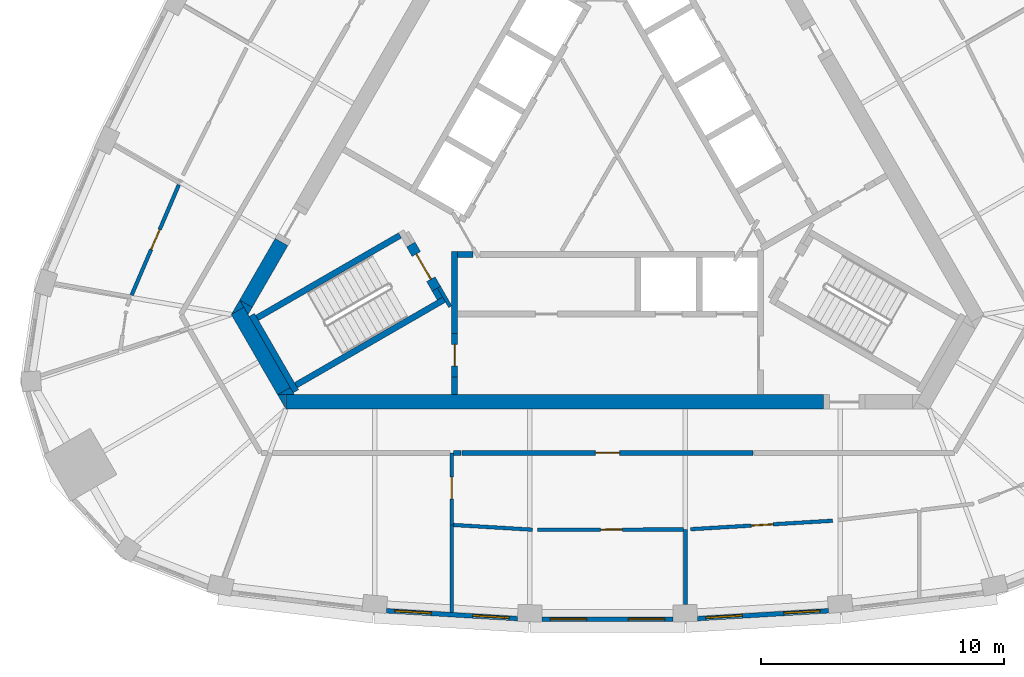
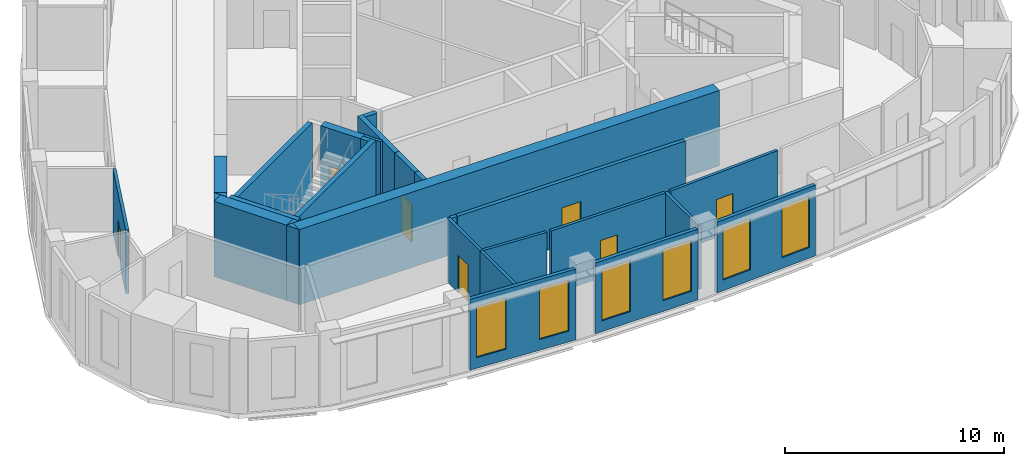
# One storey, part 3 of 10: 29 walls, 7 doors, 6 windows, 13 openings.
"""IFC4 building model written with IfcOpenShell, lengths in metres."""

from ifc_helpers import new_model, si_unit, direction, frame, frame_2d, origin, place, context, subcontext, project, spatial, polyline, rectangle, outline, extrude, material, layer, layer_set, type_object, element, fill, save


model = new_model("IFC4")

# Units and contexts
model_context = context("Model", 3, precision=1e-05, world=origin(), true_north=direction((0.0, 1.0)))
body_context = subcontext(model_context, "Body", "Model", "MODEL_VIEW")
ifc_project = project(units=[si_unit("LENGTHUNIT", "METRE"), si_unit("AREAUNIT", "SQUARE_METRE"), si_unit("VOLUMEUNIT", "CUBIC_METRE"), si_unit("PLANEANGLEUNIT", "RADIAN"), si_unit("MASSUNIT", "GRAM", prefix="KILO")], contexts=[model_context])

# Site, building, storey
site_placement = place(None, origin())
site = spatial("IfcSite", under=ifc_project, at=site_placement, CompositionType="ELEMENT")
building_placement = place(site_placement, origin())
building = spatial("IfcBuilding", under=site, at=building_placement, Name="Mestral Congress Tower", CompositionType="ELEMENT")
storey_placement = place(building_placement, frame((0.0, 0.0, 279.60009765625)))
storey = spatial("IfcBuildingStorey", under=building, at=storey_placement, Name="L65", CompositionType="ELEMENT", Elevation=279.60009765625)

# Walls
ifc_material_1 = material(Name="Concrete C60/75", Category="concrete")
ifc_layer_1 = layer(ifc_material_1, 0.60009765625)
ifc_layer_set_1 = layer_set([ifc_layer_1], Name="Concrete C60/75")
wall_type_1 = type_object("IfcWallType", Name="Core wall RC 600", PredefinedType="SOLIDWALL", material=ifc_layer_set_1)
wall_1_placement = place(storey_placement, frame((8.904296875, -9.949951171875, 0.0), z_axis=(0.0, 0.0, 1.0), x_axis=(-1.0, 0.0, 0.0)))
element("IfcWall", 1, at=wall_1_placement, inside=storey, type_object=wall_type_1, Name="L65 core wall", PredefinedType="SOLIDWALL", context=body_context, shape_type="SweptSolid", body=[
    extrude(rectangle(XDim=22.160888671875, YDim=0.60009765625, at=frame_2d((11.08056640625, 0.0))), origin(), (0.0, 0.0, 1.0), 4.199951171875),
])
placement = place(storey_placement, origin())
element("IfcWall", 2, at=placement, inside=storey, type_object=wall_type_1, Name="L65 core wall", PredefinedType="SOLIDWALL", context=body_context, shape_type="SweptSolid", body=[
    extrude(outline(polyline([(-13.5966796875, -9.64990234375), (-13.258544921875, -9.64990234375), (-13.258544921875, -10.235595703125), (-13.5966796875, -9.64990234375)])), origin(), (0.0, 0.0, 1.0), 4.199951171875),
])
wall_3_placement = place(storey_placement, frame((-13.33349609375, -9.505615234375, 0.0), z_axis=(0.0, 0.0, 1.0), x_axis=(-0.500019073792, 0.866014391245, 0.0)))
element("IfcWall", 3, at=wall_3_placement, inside=storey, type_object=wall_type_1, Name="L65 core wall", PredefinedType="SOLIDWALL", context=body_context, shape_type="SweptSolid", body=[
    extrude(rectangle(XDim=3.823486328125, YDim=0.60009765625, at=frame_2d((1.91162109375, 0.0))), origin(), (0.0, 0.0, 1.0), 4.199951171875),
])
element("IfcWall", 4, at=placement, inside=storey, type_object=wall_type_1, Name="L65 core wall", PredefinedType="SOLIDWALL", context=body_context, shape_type="SweptSolid", body=[
    extrude(outline(polyline([(-14.986572265625, -6.042724609375), (-15.493408203125, -6.33544921875), (-15.155517578125, -5.75), (-14.986572265625, -6.042724609375)])), origin(), (0.0, 0.0, 1.0), 4.199951171875),
])
element("IfcWall", 5, at=placement, inside=storey, type_object=wall_type_1, Name="L65 core wall", PredefinedType="SOLIDWALL", context=body_context, shape_type="SweptSolid", body=[
    extrude(outline(polyline([(-12.90380859375, -9.64990234375), (-13.579833984375, -9.64990234375), (-13.07275390625, -9.357421875), (-12.90380859375, -9.64990234375)])), origin(), (0.0, 0.0, 1.0), 4.199951171875),
])
wall_6_placement = place(storey_placement, frame((-13.431640625, -3.3642578125, 0.0), z_axis=(0.0, 0.0, 1.0), x_axis=(-0.499960127962, -0.866048422692, 0.0)))
element("IfcWall", 6, at=wall_6_placement, inside=storey, type_object=wall_type_1, Name="L65 core wall", PredefinedType="SOLIDWALL", context=body_context, shape_type="SweptSolid", body=[
    extrude(rectangle(XDim=2.934326171875, YDim=0.60009765625, at=frame_2d((1.46728515625, 0.0))), origin(), (0.0, 0.0, 1.0), 4.199951171875),
])
element("IfcWall", 7, at=placement, inside=storey, type_object=wall_type_1, Name="L65 core wall", PredefinedType="SOLIDWALL", context=body_context, shape_type="SweptSolid", body=[
    extrude(outline(polyline([(-14.80908203125, -6.35009765625), (-15.147216796875, -5.764404296875), (-14.639892578125, -6.057373046875), (-14.80908203125, -6.35009765625)])), origin(), (0.0, 0.0, 1.0), 4.199951171875),
])

# Wall, openings, windows
ifc_material_2 = material(Name="Precast concrete C40/50 with limestone facing", Category="masonry")
ifc_layer_2 = layer(ifc_material_2, 0.18994140625)
ifc_layer_set_2 = layer_set([ifc_layer_2], Name="Precast concrete C40/50 with limestone facing")
wall_type_2 = type_object("IfcWallType", Name="Facade stone wall 190", PredefinedType="SOLIDWALL", material=ifc_layer_set_2)
wall_8_placement = place(storey_placement, frame((-9.106689453125, -18.557861328125, 0.0), z_axis=(0.0, 0.0, 1.0), x_axis=(0.998221492823, -0.059614186786, 0.0)))
wall_8 = element("IfcWall", 8, at=wall_8_placement, inside=storey, type_object=wall_type_2, Name="Facade wall F0-01", PredefinedType="SOLIDWALL", context=body_context, shape_type="SweptSolid", body=[
    extrude(rectangle(XDim=5.40576171875, YDim=0.18994140625, at=frame_2d((2.702880859375, 0.0))), origin(), (0.0, 0.0, 1.0), 3.949951171875),
])
opening_1_placement = place(wall_8_placement, frame((0.346435546875, 0.0, 0.60009765625)))
opening_1 = element("IfcOpeningElement", 9, at=opening_1_placement, cuts=wall_8, Name="Opening W6", PredefinedType="OPENING", context=body_context, shape_type="SweptSolid", body=[
    extrude(rectangle(XDim=1.5, YDim=2.85009765625, at=frame_2d((0.75, 1.425048828125))), frame((0.0, 0.10498046875, 0.0), z_axis=(0.0, -1.0, 0.0), x_axis=(1.0, 0.0, 0.0)), (0.0, 0.0, 1.0), 0.2099609375),
])
opening_2_placement = place(wall_8_placement, frame((3.559326171875, 0.0, 0.60009765625)))
opening_2 = element("IfcOpeningElement", 10, at=opening_2_placement, cuts=wall_8, Name="Opening W6", PredefinedType="OPENING", context=body_context, shape_type="SweptSolid", body=[
    extrude(rectangle(XDim=1.5, YDim=2.85009765625, at=frame_2d((0.75, 1.425048828125))), frame((0.0, 0.10498046875, 0.0), z_axis=(0.0, -1.0, 0.0), x_axis=(1.0, 0.0, 0.0)), (0.0, 0.0, 1.0), 0.2099609375),
])
ifc_material_3 = material(Name="Clear low-emissivity double glazing", Category="glass")
window_type = type_object("IfcWindowType", Name="Facade punched window 1500 x 2850 sill 600", PartitioningType="SINGLE_PANEL", PredefinedType="WINDOW", material=ifc_material_3)
window_1_placement = place(opening_1_placement, origin())
window_1 = element("IfcWindow", 11, at=window_1_placement, inside=storey, type_object=window_type, Name="Window F0-01a", OverallHeight=2.85009765625, OverallWidth=1.5, PartitioningType="SINGLE_PANEL", PredefinedType="WINDOW", context=body_context, shape_type="SweptSolid", body=[
    extrude(rectangle(XDim=1.5, YDim=2.85009765625, at=frame_2d((0.75, 1.425048828125))), frame((0.0, 0.044921875, 0.0), z_axis=(0.0, -1.0, 0.0), x_axis=(1.0, 0.0, 0.0)), (0.0, 0.0, 1.0), 0.06005859375),
])
fill(opening_1, window_1)
window_2_placement = place(opening_2_placement, origin())
window_2 = element("IfcWindow", 12, at=window_2_placement, inside=storey, type_object=window_type, Name="Window F0-01b", OverallHeight=2.85009765625, OverallWidth=1.5, PartitioningType="SINGLE_PANEL", PredefinedType="WINDOW", context=body_context, shape_type="SweptSolid", body=[
    extrude(rectangle(XDim=1.5, YDim=2.85009765625, at=frame_2d((0.75, 1.425048828125))), frame((0.0, 0.044921875, 0.0), z_axis=(0.0, -1.0, 0.0), x_axis=(1.0, 0.0, 0.0)), (0.0, 0.0, 1.0), 0.06005859375),
])
fill(opening_2, window_2)

wall_9_placement = place(storey_placement, frame((-2.702880859375, -18.91015625, 0.0), z_axis=(0.0, 0.0, 1.0), x_axis=(1.0, 0.0, 0.0)))
wall_9 = element("IfcWall", 13, at=wall_9_placement, inside=storey, type_object=wall_type_2, Name="Facade wall F0-02", PredefinedType="SOLIDWALL", context=body_context, shape_type="SweptSolid", body=[
    extrude(rectangle(XDim=5.40576171875, YDim=0.18994140625, at=frame_2d((2.702880859375, 0.0))), origin(), (0.0, 0.0, 1.0), 3.949951171875),
])
opening_3_placement = place(wall_9_placement, frame((0.346435546875, 0.0, 0.60009765625)))
opening_3 = element("IfcOpeningElement", 14, at=opening_3_placement, cuts=wall_9, Name="Opening W6", PredefinedType="OPENING", context=body_context, shape_type="SweptSolid", body=[
    extrude(rectangle(XDim=1.5, YDim=2.85009765625, at=frame_2d((0.75, 1.425048828125))), frame((0.0, 0.10498046875, 0.0), z_axis=(0.0, -1.0, 0.0), x_axis=(1.0, 0.0, 0.0)), (0.0, 0.0, 1.0), 0.2099609375),
])
opening_4_placement = place(wall_9_placement, frame((3.5595703125, 0.0, 0.60009765625)))
opening_4 = element("IfcOpeningElement", 15, at=opening_4_placement, cuts=wall_9, Name="Opening W6", PredefinedType="OPENING", context=body_context, shape_type="SweptSolid", body=[
    extrude(rectangle(XDim=1.5, YDim=2.85009765625, at=frame_2d((0.75, 1.425048828125))), frame((0.0, 0.10498046875, 0.0), z_axis=(0.0, -1.0, 0.0), x_axis=(1.0, 0.0, 0.0)), (0.0, 0.0, 1.0), 0.2099609375),
])
window_3_placement = place(opening_3_placement, origin())
window_3 = element("IfcWindow", 16, at=window_3_placement, inside=storey, type_object=window_type, Name="Window F0-02a", OverallHeight=2.85009765625, OverallWidth=1.5, PartitioningType="SINGLE_PANEL", PredefinedType="WINDOW", context=body_context, shape_type="SweptSolid", body=[
    extrude(rectangle(XDim=1.5, YDim=2.85009765625, at=frame_2d((0.75, 1.425048828125))), frame((0.0, 0.044921875, 0.0), z_axis=(0.0, -1.0, 0.0), x_axis=(1.0, 0.0, 0.0)), (0.0, 0.0, 1.0), 0.06005859375),
])
fill(opening_3, window_3)
window_4_placement = place(opening_4_placement, origin())
window_4 = element("IfcWindow", 17, at=window_4_placement, inside=storey, type_object=window_type, Name="Window F0-02b", OverallHeight=2.85009765625, OverallWidth=1.5, PartitioningType="SINGLE_PANEL", PredefinedType="WINDOW", context=body_context, shape_type="SweptSolid", body=[
    extrude(rectangle(XDim=1.5, YDim=2.85009765625, at=frame_2d((0.75, 1.425048828125))), frame((0.0, 0.044921875, 0.0), z_axis=(0.0, -1.0, 0.0), x_axis=(1.0, 0.0, 0.0)), (0.0, 0.0, 1.0), 0.06005859375),
])
fill(opening_4, window_4)

wall_10_placement = place(storey_placement, frame((3.71044921875, -18.880126953125, 0.0), z_axis=(0.0, 0.0, 1.0), x_axis=(0.998221492823, 0.059614186786, 0.0)))
wall_10 = element("IfcWall", 18, at=wall_10_placement, inside=storey, type_object=wall_type_2, Name="Facade wall F0-03", PredefinedType="SOLIDWALL", context=body_context, shape_type="SweptSolid", body=[
    extrude(rectangle(XDim=5.40576171875, YDim=0.18994140625, at=frame_2d((2.702880859375, 0.0))), origin(), (0.0, 0.0, 1.0), 3.949951171875),
])
opening_5_placement = place(wall_10_placement, frame((0.346435546875, 0.0, 0.60009765625)))
opening_5 = element("IfcOpeningElement", 19, at=opening_5_placement, cuts=wall_10, Name="Opening W6", PredefinedType="OPENING", context=body_context, shape_type="SweptSolid", body=[
    extrude(rectangle(XDim=1.5, YDim=2.85009765625, at=frame_2d((0.75, 1.425048828125))), frame((0.0, 0.10498046875, 0.0), z_axis=(0.0, -1.0, 0.0), x_axis=(1.0, 0.0, 0.0)), (0.0, 0.0, 1.0), 0.2099609375),
])
opening_6_placement = place(wall_10_placement, frame((3.559326171875, 0.0, 0.60009765625)))
opening_6 = element("IfcOpeningElement", 20, at=opening_6_placement, cuts=wall_10, Name="Opening W6", PredefinedType="OPENING", context=body_context, shape_type="SweptSolid", body=[
    extrude(rectangle(XDim=1.5, YDim=2.85009765625, at=frame_2d((0.75, 1.425048828125))), frame((0.0, 0.10498046875, 0.0), z_axis=(0.0, -1.0, 0.0), x_axis=(1.0, 0.0, 0.0)), (0.0, 0.0, 1.0), 0.2099609375),
])
window_5_placement = place(opening_5_placement, origin())
window_5 = element("IfcWindow", 21, at=window_5_placement, inside=storey, type_object=window_type, Name="Window F0-03a", OverallHeight=2.85009765625, OverallWidth=1.5, PartitioningType="SINGLE_PANEL", PredefinedType="WINDOW", context=body_context, shape_type="SweptSolid", body=[
    extrude(rectangle(XDim=1.5, YDim=2.85009765625, at=frame_2d((0.75, 1.425048828125))), frame((0.0, 0.044921875, 0.0), z_axis=(0.0, -1.0, 0.0), x_axis=(1.0, 0.0, 0.0)), (0.0, 0.0, 1.0), 0.06005859375),
])
fill(opening_5, window_5)
window_6_placement = place(opening_6_placement, origin())
window_6 = element("IfcWindow", 22, at=window_6_placement, inside=storey, type_object=window_type, Name="Window F0-03b", OverallHeight=2.85009765625, OverallWidth=1.5, PartitioningType="SINGLE_PANEL", PredefinedType="WINDOW", context=body_context, shape_type="SweptSolid", body=[
    extrude(rectangle(XDim=1.5, YDim=2.85009765625, at=frame_2d((0.75, 1.425048828125))), frame((0.0, 0.044921875, 0.0), z_axis=(0.0, -1.0, 0.0), x_axis=(1.0, 0.0, 0.0)), (0.0, 0.0, 1.0), 0.06005859375),
])
fill(opening_6, window_6)

# Wall
ifc_material_4 = material(Name="Plasterboard partition on steel studs", Category="steel")
ifc_layer_3 = layer(ifc_material_4, 0.14990234375)
ifc_layer_set_3 = layer_set([ifc_layer_3], Name="Plasterboard partition on steel studs")
wall_type_3 = type_object("IfcWallType", Name="Office partition 150", PredefinedType="PARTITIONING", material=ifc_layer_set_3)
wall_11_placement = place(storey_placement, frame((-6.420166015625, -15.0126953125, 0.0), z_axis=(0.0, 0.0, 1.0), x_axis=(0.0, -1.0, 0.0)))
element("IfcWall", 23, at=wall_11_placement, inside=storey, type_object=wall_type_3, Name="Partition", PredefinedType="PARTITIONING", context=body_context, shape_type="SweptSolid", body=[
    extrude(rectangle(XDim=3.6103515625, YDim=0.14990234375, at=frame_2d((1.80517578125, 0.0))), origin(), (0.0, 0.0, 1.0), 3.5498046875),
])

# Wall, opening, door
wall_12_placement = place(storey_placement, frame((-6.420166015625, -15.020751953125, 0.0), z_axis=(0.0, 0.0, 1.0), x_axis=(0.0, 1.0, 0.0)))
wall_12 = element("IfcWall", 24, at=wall_12_placement, inside=storey, type_object=wall_type_3, Name="Partition", PredefinedType="PARTITIONING", context=body_context, shape_type="SweptSolid", body=[
    extrude(rectangle(XDim=2.970703125, YDim=0.14990234375, at=frame_2d((1.4853515625, 0.0))), origin(), (0.0, 0.0, 1.0), 3.5498046875),
])
opening_7_placement = place(wall_12_placement, frame((1.07080078125, 0.0, 0.0)))
opening_7 = element("IfcOpeningElement", 25, at=opening_7_placement, cuts=wall_12, Name="Opening O12-001", PredefinedType="OPENING", context=body_context, shape_type="SweptSolid", body=[
    extrude(rectangle(XDim=0.89990234375, YDim=2.10009765625, at=frame_2d((0.449951171875, 1.050048828125))), frame((0.0, 0.0849609375, 0.0), z_axis=(0.0, -1.0, 0.0), x_axis=(1.0, 0.0, 0.0)), (0.0, 0.0, 1.0), 0.169921875),
])
ifc_material_5 = material(Name="Timber door set", Category="wood")
door_type_1 = type_object("IfcDoorType", Name="Office door 900x2100", OperationType="SINGLE_SWING_LEFT", PredefinedType="DOOR", material=ifc_material_5)
door_1_placement = place(opening_7_placement, origin())
door_1 = element("IfcDoor", 26, at=door_1_placement, inside=storey, type_object=door_type_1, Name="Door O12-001", OperationType="SINGLE_SWING_RIGHT", OverallHeight=2.10009765625, OverallWidth=0.89990234375, PredefinedType="DOOR", context=body_context, shape_type="SweptSolid", body=[
    extrude(rectangle(XDim=0.89990234375, YDim=2.10009765625, at=frame_2d((0.449951171875, 1.050048828125))), frame((0.0, 0.02490234375, 0.0), z_axis=(0.0, -1.0, 0.0), x_axis=(1.0, 0.0, 0.0)), (0.0, 0.0, 1.0), 0.050048828125),
])
fill(opening_7, door_1)

# Walls
wall_13_placement = place(storey_placement, frame((3.212890625, -15.208251953125, 0.0), z_axis=(0.0, 0.0, 1.0), x_axis=(0.0, -1.0, 0.0)))
element("IfcWall", 27, at=wall_13_placement, inside=storey, type_object=wall_type_3, Name="Partition", PredefinedType="PARTITIONING", context=body_context, shape_type="SweptSolid", body=[
    extrude(rectangle(XDim=3.096435546875, YDim=0.14990234375, at=frame_2d((1.54833984375, 0.0))), origin(), (0.0, 0.0, 1.0), 3.5498046875),
])
wall_14_placement = place(storey_placement, frame((-6.34521484375, -15.021240234375, 0.0), z_axis=(0.0, 0.0, 1.0), x_axis=(0.998224081041, -0.059570832044, 0.0)))
element("IfcWall", 28, at=wall_14_placement, inside=storey, type_object=wall_type_3, Name="Partition", PredefinedType="PARTITIONING", context=body_context, shape_type="SweptSolid", body=[
    extrude(rectangle(XDim=3.254150390625, YDim=0.14990234375, at=frame_2d((1.626953125, 0.0))), origin(), (0.0, 0.0, 1.0), 3.5498046875),
])

# Wall, opening, door
wall_15_placement = place(storey_placement, frame((3.137939453125, -15.20849609375, 0.0), z_axis=(0.0, 0.0, 1.0), x_axis=(-0.999999400608, -0.001094889855, 0.0)))
wall_15 = element("IfcWall", 29, at=wall_15_placement, inside=storey, type_object=wall_type_3, Name="Partition", PredefinedType="PARTITIONING", context=body_context, shape_type="SweptSolid", body=[
    extrude(rectangle(XDim=6.0205078125, YDim=0.14990234375, at=frame_2d((3.01025390625, 0.0))), origin(), (0.0, 0.0, 1.0), 3.5498046875),
])
opening_8_placement = place(wall_15_placement, frame((2.5205078125, 0.0, 0.0)))
opening_8 = element("IfcOpeningElement", 30, at=opening_8_placement, cuts=wall_15, Name="Opening O12-002", PredefinedType="OPENING", context=body_context, shape_type="SweptSolid", body=[
    extrude(rectangle(XDim=0.89990234375, YDim=2.10009765625, at=frame_2d((0.449951171875, 1.050048828125))), frame((0.0, 0.0849609375, 0.0), z_axis=(0.0, -1.0, 0.0), x_axis=(1.0, 0.0, 0.0)), (0.0, 0.0, 1.0), 0.169921875),
])
door_2_placement = place(opening_8_placement, origin())
door_2 = element("IfcDoor", 31, at=door_2_placement, inside=storey, type_object=door_type_1, Name="Door O12-002", OperationType="SINGLE_SWING_LEFT", OverallHeight=2.10009765625, OverallWidth=0.89990234375, PredefinedType="DOOR", context=body_context, shape_type="SweptSolid", body=[
    extrude(rectangle(XDim=0.89990234375, YDim=2.10009765625, at=frame_2d((0.449951171875, 1.050048828125))), frame((0.0, 0.02490234375, 0.0), z_axis=(0.0, -1.0, 0.0), x_axis=(1.0, 0.0, 0.0)), (0.0, 0.0, 1.0), 0.050048828125),
])
fill(opening_8, door_2)

wall_16_placement = place(storey_placement, frame((9.279541015625, -14.845947265625, 0.0), z_axis=(0.0, 0.0, 1.0), x_axis=(-0.998220544688, -0.059630060904, 0.0)))
wall_16 = element("IfcWall", 32, at=wall_16_placement, inside=storey, type_object=wall_type_3, Name="Partition", PredefinedType="PARTITIONING", context=body_context, shape_type="SweptSolid", body=[
    extrude(rectangle(XDim=5.863037109375, YDim=0.14990234375, at=frame_2d((2.931640625, 0.0))), origin(), (0.0, 0.0, 1.0), 3.5498046875),
])
opening_9_placement = place(wall_16_placement, frame((2.463134765625, 0.0, 0.0)))
opening_9 = element("IfcOpeningElement", 33, at=opening_9_placement, cuts=wall_16, Name="Opening O12-003", PredefinedType="OPENING", context=body_context, shape_type="SweptSolid", body=[
    extrude(rectangle(XDim=0.89990234375, YDim=2.10009765625, at=frame_2d((0.449951171875, 1.050048828125))), frame((0.0, 0.0849609375, 0.0), z_axis=(0.0, -1.0, 0.0), x_axis=(1.0, 0.0, 0.0)), (0.0, 0.0, 1.0), 0.169921875),
])
door_3_placement = place(opening_9_placement, origin())
door_3 = element("IfcDoor", 34, at=door_3_placement, inside=storey, type_object=door_type_1, Name="Door O12-003", OperationType="SINGLE_SWING_LEFT", OverallHeight=2.10009765625, OverallWidth=0.89990234375, PredefinedType="DOOR", context=body_context, shape_type="SweptSolid", body=[
    extrude(rectangle(XDim=0.89990234375, YDim=2.10009765625, at=frame_2d((0.449951171875, 1.050048828125))), frame((0.0, 0.02490234375, 0.0), z_axis=(0.0, -1.0, 0.0), x_axis=(1.0, 0.0, 0.0)), (0.0, 0.0, 1.0), 0.050048828125),
])
fill(opening_9, door_3)

wall_17_placement = place(storey_placement, frame((-19.6083984375, -5.548828125, 0.0), z_axis=(0.0, 0.0, 1.0), x_axis=(0.393352855097, 0.919387584964, 0.0)))
wall_17 = element("IfcWall", 35, at=wall_17_placement, inside=storey, type_object=wall_type_3, Name="Partition", PredefinedType="PARTITIONING", context=body_context, shape_type="SweptSolid", body=[
    extrude(rectangle(XDim=4.9423828125, YDim=0.14990234375, at=frame_2d((2.47119140625, 0.0))), origin(), (0.0, 0.0, 1.0), 3.5498046875),
])
opening_10_placement = place(wall_17_placement, frame((2.042236328125, 0.0, 0.0)))
opening_10 = element("IfcOpeningElement", 36, at=opening_10_placement, cuts=wall_17, Name="Opening O12-016", PredefinedType="OPENING", context=body_context, shape_type="SweptSolid", body=[
    extrude(rectangle(XDim=0.89990234375, YDim=2.10009765625, at=frame_2d((0.449951171875, 1.050048828125))), frame((0.0, 0.0849609375, 0.0), z_axis=(0.0, -1.0, 0.0), x_axis=(1.0, 0.0, 0.0)), (0.0, 0.0, 1.0), 0.169921875),
])
door_4_placement = place(opening_10_placement, origin())
door_4 = element("IfcDoor", 37, at=door_4_placement, inside=storey, type_object=door_type_1, Name="Door O12-016", OperationType="SINGLE_SWING_RIGHT", OverallHeight=2.10009765625, OverallWidth=0.89990234375, PredefinedType="DOOR", context=body_context, shape_type="SweptSolid", body=[
    extrude(rectangle(XDim=0.89990234375, YDim=2.10009765625, at=frame_2d((0.449951171875, 1.050048828125))), frame((0.0, 0.02490234375, 0.0), z_axis=(0.0, -1.0, 0.0), x_axis=(1.0, 0.0, 0.0)), (0.0, 0.0, 1.0), 0.050048828125),
])
fill(opening_10, door_4)

ifc_material_6 = material(Name="Dense masonry wall, plastered", Category="masonry")
ifc_layer_4 = layer(ifc_material_6, 0.199951171875)
ifc_layer_set_4 = layer_set([ifc_layer_4], Name="Dense masonry wall, plastered")
wall_type_4 = type_object("IfcWallType", Name="Office tenancy wall 200", PredefinedType="PARTITIONING", material=ifc_layer_set_4)
wall_18_placement = place(storey_placement, frame((-6.0, -12.050048828125, 0.0), z_axis=(0.0, 0.0, 1.0), x_axis=(1.0, 0.0, 0.0)))
wall_18 = element("IfcWall", 38, at=wall_18_placement, inside=storey, type_object=wall_type_4, Name="Tenancy wall", PredefinedType="PARTITIONING", context=body_context, shape_type="SweptSolid", body=[
    extrude(rectangle(XDim=12.0, YDim=0.199951171875, at=frame_2d((6.0, 0.0))), origin(), (0.0, 0.0, 1.0), 3.5498046875),
])
opening_11_placement = place(wall_18_placement, frame((5.5, 0.0, 0.0)))
opening_11 = element("IfcOpeningElement", 39, at=opening_11_placement, cuts=wall_18, Name="Opening O12-008", PredefinedType="OPENING", context=body_context, shape_type="SweptSolid", body=[
    extrude(rectangle(XDim=1.0, YDim=2.10009765625, at=frame_2d((0.5, 1.050048828125))), frame((0.0, 0.10986328125, 0.0), z_axis=(0.0, -1.0, 0.0), x_axis=(1.0, 0.0, 0.0)), (0.0, 0.0, 1.0), 0.219970703125),
])
ifc_material_7 = material(Name="Fire-rated timber door set", Category="wood")
door_type_2 = type_object("IfcDoorType", Name="Office tenancy entrance door 1000x2100", OperationType="SINGLE_SWING_LEFT", PredefinedType="DOOR", material=ifc_material_7)
door_5_placement = place(opening_11_placement, origin())
door_5 = element("IfcDoor", 40, at=door_5_placement, inside=storey, type_object=door_type_2, Name="Door O12-008", OperationType="SINGLE_SWING_RIGHT", OverallHeight=2.10009765625, OverallWidth=1.0, PredefinedType="DOOR", context=body_context, shape_type="SweptSolid", body=[
    extrude(rectangle(XDim=1.0, YDim=2.10009765625, at=frame_2d((0.5, 1.050048828125))), frame((0.0, 0.02490234375, 0.0), z_axis=(0.0, -1.0, 0.0), x_axis=(1.0, 0.0, 0.0)), (0.0, 0.0, 1.0), 0.050048828125),
])
fill(opening_11, door_5)

# Walls
wall_19_placement = place(storey_placement, frame((-6.34521484375, -12.050048828125, 0.0), z_axis=(0.0, 0.0, 1.0), x_axis=(1.0, 0.0, 0.0)))
element("IfcWall", 41, at=wall_19_placement, inside=storey, type_object=wall_type_4, Name="Tenancy wall", PredefinedType="PARTITIONING", context=body_context, shape_type="SweptSolid", body=[
    extrude(rectangle(XDim=0.315185546875, YDim=0.199951171875, at=frame_2d((0.15771484375, 0.0))), origin(), (0.0, 0.0, 1.0), 3.5498046875),
])
ifc_layer_5 = layer(ifc_material_1, 0.25)
ifc_layer_set_5 = layer_set([ifc_layer_5], Name="Concrete C60/75")
wall_type_5 = type_object("IfcWallType", Name="Shaft wall RC 250", PredefinedType="SOLIDWALL", material=ifc_layer_set_5)
wall_20_placement = place(storey_placement, frame((-6.300048828125, -7.12451171875, 0.0), z_axis=(0.0, 0.0, 1.0), x_axis=(0.0, 1.0, 0.0)))
element("IfcWall", 42, at=wall_20_placement, inside=storey, type_object=wall_type_5, Name="L65 core wall", PredefinedType="SOLIDWALL", context=body_context, shape_type="SweptSolid", body=[
    extrude(rectangle(XDim=3.37451171875, YDim=0.25, at=frame_2d((1.687255859375, 0.0))), origin(), (0.0, 0.0, 1.0), 4.199951171875),
])
wall_21_placement = place(storey_placement, frame((-6.175048828125, -3.875, 0.0), z_axis=(0.0, 0.0, 1.0), x_axis=(1.0, 0.0, 0.0)))
element("IfcWall", 43, at=wall_21_placement, inside=storey, type_object=wall_type_5, Name="L65 core wall", PredefinedType="SOLIDWALL", context=body_context, shape_type="SweptSolid", body=[
    extrude(rectangle(XDim=0.63671875, YDim=0.25, at=frame_2d((0.318359375, 0.0))), origin(), (0.0, 0.0, 1.0), 4.199951171875),
])
wall_22_placement = place(storey_placement, frame((-6.300048828125, -8.9248046875, 0.0), z_axis=(0.0, 0.0, 1.0), x_axis=(0.0, -1.0, 0.0)))
element("IfcWall", 44, at=wall_22_placement, inside=storey, type_object=wall_type_5, Name="L65 core wall", PredefinedType="SOLIDWALL", context=body_context, shape_type="SweptSolid", body=[
    extrude(rectangle(XDim=0.72509765625, YDim=0.25, at=frame_2d((0.362548828125, 0.0))), origin(), (0.0, 0.0, 1.0), 4.199951171875),
])

# Wall, opening, door
wall_23_placement = place(storey_placement, frame((-6.300048828125, -7.12451171875, 0.0), z_axis=(0.0, 0.0, 1.0), x_axis=(0.0, -1.0, 0.0)))
wall_23 = element("IfcWall", 45, at=wall_23_placement, inside=storey, type_object=wall_type_5, Name="L65 door wall", PredefinedType="SOLIDWALL", context=body_context, shape_type="SweptSolid", body=[
    extrude(rectangle(XDim=1.800048828125, YDim=0.25, at=frame_2d((0.89990234375, 0.0))), origin(), (0.0, 0.0, 1.0), 4.199951171875),
])
opening_12_placement = place(wall_23_placement, frame((0.449951171875, 0.0, 0.0)))
opening_12 = element("IfcOpeningElement", 46, at=opening_12_placement, cuts=wall_23, Name="Opening TD3", PredefinedType="OPENING", context=body_context, shape_type="SweptSolid", body=[
    extrude(rectangle(XDim=0.89990234375, YDim=2.10009765625, at=frame_2d((0.449951171875, 1.050048828125))), frame((0.0, 0.135009765625, 0.0), z_axis=(0.0, -1.0, 0.0), x_axis=(1.0, 0.0, 0.0)), (0.0, 0.0, 1.0), 0.27001953125),
])
ifc_material_8 = material(Name="Fire-rated steel door set", Category="steel")
door_type_3 = type_object("IfcDoorType", Name="Core door SR 900x2100", OperationType="SINGLE_SWING_LEFT", PredefinedType="DOOR", material=ifc_material_8)
door_6_placement = place(opening_12_placement, origin())
door_6 = element("IfcDoor", 47, at=door_6_placement, inside=storey, type_object=door_type_3, Name="Door TD3", OperationType="SINGLE_SWING_LEFT", OverallHeight=2.10009765625, OverallWidth=0.89990234375, PredefinedType="DOOR", context=body_context, shape_type="SweptSolid", body=[
    extrude(rectangle(XDim=0.89990234375, YDim=2.10009765625, at=frame_2d((0.449951171875, 1.050048828125))), frame((0.0, 0.02490234375, 0.0), z_axis=(0.0, -1.0, 0.0), x_axis=(1.0, 0.0, 0.0)), (0.0, 0.0, 1.0), 0.050048828125),
])
fill(opening_12, door_6)

# Walls
ifc_layer_6 = layer(ifc_material_1, 0.14990234375)
ifc_layer_set_6 = layer_set([ifc_layer_6], Name="Concrete C60/75")
wall_type_6 = type_object("IfcWallType", Name="Shaft wall RC 250 door-wall 150", PredefinedType="SOLIDWALL", material=ifc_layer_set_6)
wall_24_placement = place(storey_placement, frame((-6.48046875, -6.026611328125, 0.0), z_axis=(0.0, 0.0, 1.0), x_axis=(-0.499927229454, 0.866067413802, 0.0)))
element("IfcWall", 48, at=wall_24_placement, inside=storey, type_object=wall_type_6, Name="L65 core wall", PredefinedType="PARTITIONING", context=body_context, shape_type="SweptSolid", body=[
    extrude(rectangle(XDim=0.928955078125, YDim=0.14990234375, at=frame_2d((0.46435546875, 0.0))), origin(), (0.0, 0.0, 1.0), 4.199951171875),
])
ifc_layer_7 = layer(ifc_material_1, 0.25)
ifc_layer_set_7 = layer_set([ifc_layer_7], Name="Concrete C60/75")
wall_type_7 = type_object("IfcWallType", Name="Stair wall RC 250", PredefinedType="SOLIDWALL", material=ifc_layer_set_7)
wall_25_placement = place(storey_placement, frame((-12.839599609375, -9.510986328125, 0.0), z_axis=(0.0, 0.0, 1.0), x_axis=(-0.499997733992, 0.866026712061, 0.0)))
element("IfcWall", 49, at=wall_25_placement, inside=storey, type_object=wall_type_7, Name="L65 core wall", PredefinedType="SOLIDWALL", context=body_context, shape_type="SweptSolid", body=[
    extrude(rectangle(XDim=3.6337890625, YDim=0.25, at=frame_2d((1.81689453125, 0.0))), origin(), (0.0, 0.0, 1.0), 4.199951171875),
])
wall_26_placement = place(storey_placement, frame((-14.43994140625, -6.489501953125, 0.0), z_axis=(0.0, 0.0, 1.0), x_axis=(0.866022966069, 0.500004222222, 0.0)))
element("IfcWall", 50, at=wall_26_placement, inside=storey, type_object=wall_type_7, Name="L65 core wall", PredefinedType="SOLIDWALL", context=body_context, shape_type="SweptSolid", body=[
    extrude(rectangle(XDim=6.80029296875, YDim=0.25, at=frame_2d((3.400146484375, 0.0))), origin(), (0.0, 0.0, 1.0), 4.199951171875),
])
wall_27_placement = place(storey_placement, frame((-12.83984375, -9.2607421875, 0.0), z_axis=(0.0, 0.0, 1.0), x_axis=(0.866016039709, 0.500016218704, 0.0)))
element("IfcWall", 51, at=wall_27_placement, inside=storey, type_object=wall_type_7, Name="L65 core wall", PredefinedType="SOLIDWALL", context=body_context, shape_type="SweptSolid", body=[
    extrude(rectangle(XDim=7.050048828125, YDim=0.25, at=frame_2d((3.52490234375, 0.0))), origin(), (0.0, 0.0, 1.0), 4.199951171875),
])
wall_28_placement = place(storey_placement, frame((-6.905029296875, -5.68994140625, 0.0), z_axis=(0.0, 0.0, 1.0), x_axis=(-0.500402024738, 0.865793170242, 0.0)))
element("IfcWall", 52, at=wall_28_placement, inside=storey, type_object=wall_type_7, Name="L65 core wall", PredefinedType="SOLIDWALL", context=body_context, shape_type="SweptSolid", body=[
    extrude(rectangle(XDim=0.425048828125, YDim=0.25, at=frame_2d((0.21240234375, 0.0))), origin(), (0.0, 0.0, 1.0), 4.199951171875),
])

# Wall, opening, door
ifc_layer_8 = layer(ifc_material_1, 0.39990234375)
ifc_layer_set_8 = layer_set([ifc_layer_8], Name="Concrete C60/75")
wall_type_8 = type_object("IfcWallType", Name="Stair wall RC 250 door-wall 400", PredefinedType="SOLIDWALL", material=ifc_layer_set_8)
wall_29_placement = place(storey_placement, frame((-8.102783203125, -3.4658203125, 0.0), z_axis=(0.0, 0.0, 1.0), x_axis=(0.500078061341, -0.865980330357, 0.0)))
wall_29 = element("IfcWall", 53, at=wall_29_placement, inside=storey, type_object=wall_type_8, Name="L65 door wall", PredefinedType="SOLIDWALL", context=body_context, shape_type="SweptSolid", body=[
    extrude(rectangle(XDim=2.099853515625, YDim=0.39990234375, at=frame_2d((1.0498046875, 0.0))), origin(), (0.0, 0.0, 1.0), 4.199951171875),
])
opening_13_placement = place(wall_29_placement, frame((0.449951171875, 0.0, 0.0)))
opening_13 = element("IfcOpeningElement", 54, at=opening_13_placement, cuts=wall_29, Name="Opening ST-D3", PredefinedType="OPENING", context=body_context, shape_type="SweptSolid", body=[
    extrude(rectangle(XDim=1.199951171875, YDim=2.10009765625, at=frame_2d((0.60009765625, 1.050048828125))), frame((0.0, 0.2099609375, 0.0), z_axis=(0.0, -1.0, 0.0), x_axis=(1.0, 0.0, 0.0)), (0.0, 0.0, 1.0), 0.419921875),
])
door_type_4 = type_object("IfcDoorType", Name="Core door ST 1200x2100", OperationType="SINGLE_SWING_LEFT", PredefinedType="DOOR", material=ifc_material_8)
door_7_placement = place(opening_13_placement, origin())
door_7 = element("IfcDoor", 55, at=door_7_placement, inside=storey, type_object=door_type_4, Name="Door ST-D3", OperationType="SINGLE_SWING_LEFT", OverallHeight=2.10009765625, OverallWidth=1.199951171875, PredefinedType="DOOR", context=body_context, shape_type="SweptSolid", body=[
    extrude(rectangle(XDim=1.199951171875, YDim=2.10009765625, at=frame_2d((0.60009765625, 1.050048828125))), frame((0.0, 0.02490234375, 0.0), z_axis=(0.0, -1.0, 0.0), x_axis=(1.0, 0.0, 0.0)), (0.0, 0.0, 1.0), 0.050048828125),
])
fill(opening_13, door_7)

save(model, "model.ifc")
